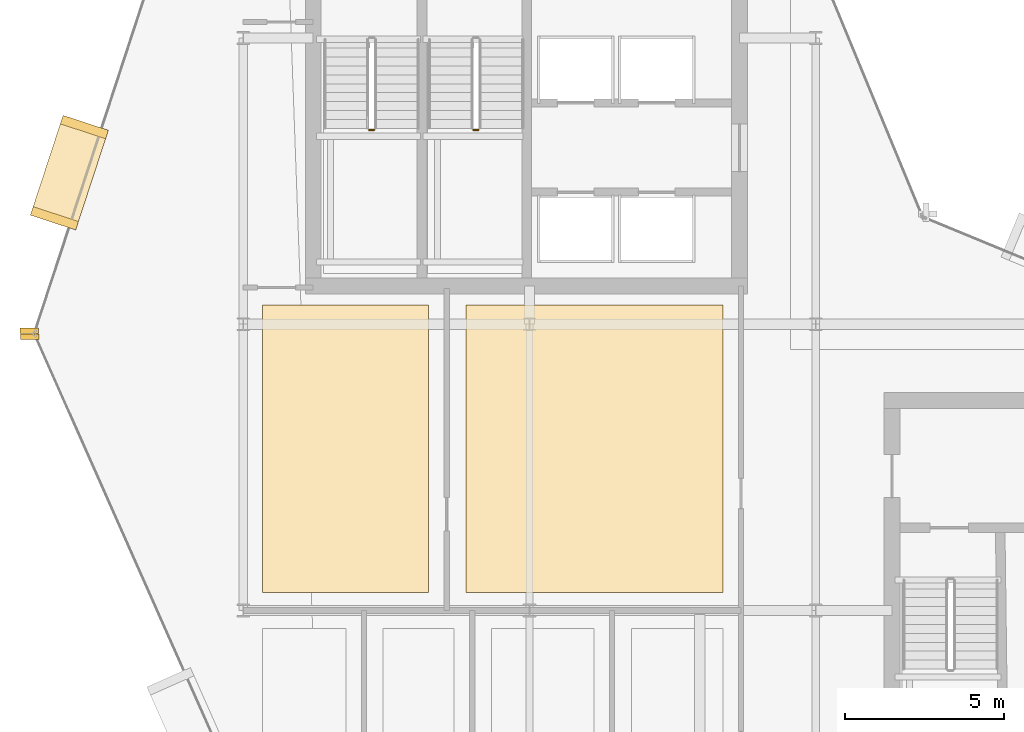
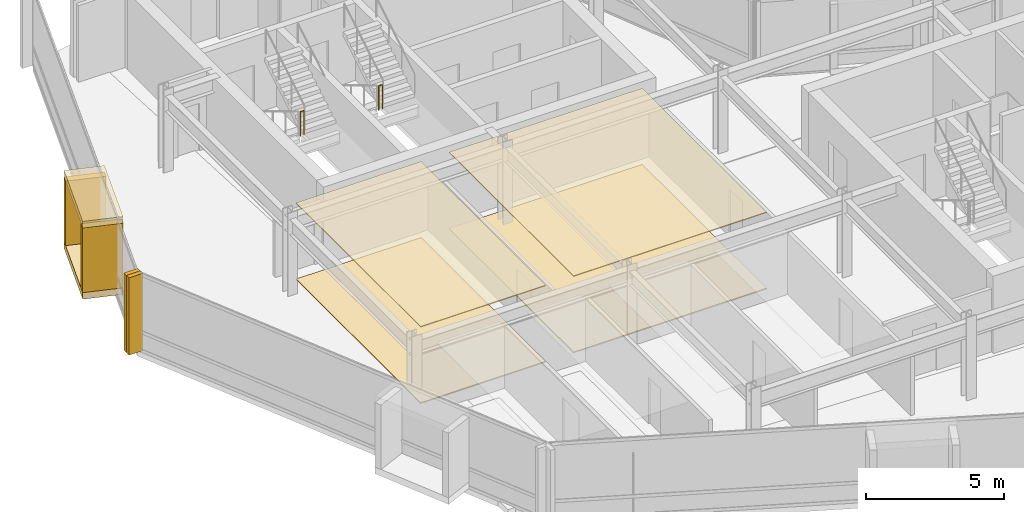
# One storey, part 23 of 27: 10 coverings, 2 railings.
"""IFC4 building model written with IfcOpenShell, lengths in metres."""

import ifcopenshell
import ifcopenshell.guid

model = None  # the IFC model being written
_history = None  # IfcOwnerHistory: only IFC2X3 demands one
_inside = {}  # id of a spatial element -> (the spatial element, [elements in it])
_under = {}  # id of a project, library or spatial element -> (it, [spatial elements below it])
_declared = {}  # id of a project -> (the project, [libraries it declares])
_typed = {}  # id of a type object -> (the type object, [elements of that type])
_made_of = {}  # id of a material, layer set ... -> (it, [elements and type objects made of it])


def new_model(schema):
    """Start an empty IFC model of exactly this schema.

    Asked for "IFC4X3", IfcOpenShell would pick the latest addendum, in which some entities
    have other attributes; the version numbers below select the first issue.
    IFC2X3 requires an IfcOwnerHistory on every rooted entity: one is made here for all.
    """
    global model, _history
    if schema == "IFC4X3":
        model = ifcopenshell.file(schema_version=(4, 3, 0, 0))
    else:
        model = ifcopenshell.file(schema=schema)
    _inside.clear()
    _under.clear()
    _declared.clear()
    _typed.clear()
    _made_of.clear()
    _history = None
    if model.schema == "IFC2X3":
        org = make("IfcOrganization", Name="unknown")
        user = make(
            "IfcPersonAndOrganization",
            ThePerson=make("IfcPerson", FamilyName="unknown"),
            TheOrganization=org,
        )
        app = make(
            "IfcApplication",
            ApplicationDeveloper=org,
            Version="unknown",
            ApplicationFullName="unknown",
            ApplicationIdentifier="unknown",
        )
        _history = make(
            "IfcOwnerHistory",
            OwningUser=user,
            OwningApplication=app,
            ChangeAction="ADDED",
            CreationDate=0,
        )
    return model


def make(cls, **values):
    """One entity of the class cls with the attributes given. An attribute that is None is left unset."""
    return model.create_entity(
        cls, **{name: value for name, value in values.items() if value is not None}
    )


def rooted(cls, **values):
    """An entity with a GlobalId (a new one), such as an element, a storey or a relation."""
    return make(cls, GlobalId=ifcopenshell.guid.new(), OwnerHistory=_history, **values)


def si_unit(unit_type, name, prefix=None):
    """IfcSIUnit, for example si_unit("LENGTHUNIT", "METRE", prefix="MILLI")."""
    return make("IfcSIUnit", UnitType=unit_type, Prefix=prefix, Name=name)


def assignment(units):
    """IfcUnitAssignment: the units of a project."""
    return None if units is None else make("IfcUnitAssignment", Units=units)


def point(xyz):
    """IfcCartesianPoint."""
    return None if xyz is None else make("IfcCartesianPoint", Coordinates=xyz)


def direction(xyz):
    """IfcDirection."""
    return None if xyz is None else make("IfcDirection", DirectionRatios=xyz)


def frame(location, z_axis=None, x_axis=None):
    """IfcAxis2Placement3D, a coordinate frame: its origin and axes. An axis left out is left unset."""
    return make(
        "IfcAxis2Placement3D",
        Location=point(location),
        Axis=direction(z_axis),
        RefDirection=direction(x_axis),
    )


def frame_2d(location, x_axis=None):
    """IfcAxis2Placement2D, a coordinate frame in the plane: its origin and x axis."""
    return make(
        "IfcAxis2Placement2D", Location=point(location), RefDirection=direction(x_axis)
    )


def origin():
    """The frame at (0, 0, 0) with its axes left unset."""
    return frame((0.0, 0.0, 0.0))


def origin_2d():
    """The frame at (0, 0) in the plane with its x axis left unset."""
    return frame_2d((0.0, 0.0))


def place(relative_to, where):
    """IfcLocalPlacement: puts the frame where relative to a parent placement (None: the world)."""
    return make(
        "IfcLocalPlacement", PlacementRelTo=relative_to, RelativePlacement=where
    )


def context(
    kind, dimensions, precision=None, world=None, true_north=None, identifier=None
):
    """IfcGeometricRepresentationContext, for example the 3D "Model" context."""
    return make(
        "IfcGeometricRepresentationContext",
        ContextIdentifier=identifier,
        ContextType=kind,
        CoordinateSpaceDimension=dimensions,
        Precision=precision,
        WorldCoordinateSystem=world,
        TrueNorth=true_north,
    )


def subcontext(parent, identifier, kind, view, scale=None):
    """IfcGeometricRepresentationSubContext, for example "Body" below "Model"."""
    return make(
        "IfcGeometricRepresentationSubContext",
        ContextIdentifier=identifier,
        ContextType=kind,
        ParentContext=parent,
        TargetScale=scale,
        TargetView=view,
    )


def project(units=None, contexts=None):
    """IfcProject with its units and contexts."""
    return rooted(
        "IfcProject",
        Name="project",
        RepresentationContexts=contexts,
        UnitsInContext=assignment(units),
    )


def spatial(cls, under=None, at=None, **own):
    """A site, building, storey or space (cls), placed at a placement, below another one or the project."""
    s = rooted(cls, ObjectPlacement=at, **own)
    if under is not None:
        _under.setdefault(under.id(), (under, []))[1].append(s)
    return s


def polyline(points):
    """IfcPolyline through the points."""
    return make("IfcPolyline", Points=[point(p) for p in points])


def profile(cls, at=None, kind="AREA", **sizes):
    """A parametric profile (cls). Its sizes go by their IFC names, for example OverallWidth=200.0."""
    return make(cls, ProfileType=kind, Position=at, **sizes)


def rectangle(**sizes):
    """IfcRectangleProfileDef."""
    return profile("IfcRectangleProfileDef", **sizes)


def circle(**sizes):
    """IfcCircleProfileDef."""
    return profile("IfcCircleProfileDef", **sizes)


def outline(outer, holes=None, kind="AREA"):
    """IfcArbitraryClosedProfileDef: a profile drawn as a closed curve; with holes, ...WithVoids."""
    if holes is None:
        return make("IfcArbitraryClosedProfileDef", ProfileType=kind, OuterCurve=outer)
    return make(
        "IfcArbitraryProfileDefWithVoids",
        ProfileType=kind,
        OuterCurve=outer,
        InnerCurves=holes,
    )


def extrude(swept, where, along, depth):
    """IfcExtrudedAreaSolid: the profile swept, set in the frame where, extruded along a direction by depth."""
    return make(
        "IfcExtrudedAreaSolid",
        SweptArea=swept,
        Position=where,
        ExtrudedDirection=direction(along),
        Depth=depth,
    )


def shape(context_of_items, identifier, shape_type, items):
    """IfcShapeRepresentation: the items that make up one representation, for example the "Body"."""
    return make(
        "IfcShapeRepresentation",
        ContextOfItems=context_of_items,
        RepresentationIdentifier=identifier,
        RepresentationType=shape_type,
        Items=items,
    )


def material(Name=None, Category=None):
    """IfcMaterial."""
    return make("IfcMaterial", Name=Name, Category=Category)


def layer(
    of_material, thickness, ventilated=None, Name=None, Category=None, Priority=None
):
    """IfcMaterialLayer: one layer of a wall or slab, of a material (None: an air gap)."""
    return make(
        "IfcMaterialLayer",
        Material=of_material,
        LayerThickness=thickness,
        IsVentilated=ventilated,
        Name=Name,
        Category=Category,
        Priority=Priority,
    )


def layer_set(layers, Name=None):
    """IfcMaterialLayerSet."""
    return make("IfcMaterialLayerSet", MaterialLayers=layers, LayerSetName=Name)


def made_of(thing, what):
    """Note that an element or type object is made of a material, layer set ...; save() writes the relation."""
    if what is not None:
        _made_of.setdefault(what.id(), (what, []))[1].append(thing)
    return thing


def type_object(cls, material=None, **own):
    """A type object (cls), such as IfcWallType, which elements share."""
    return made_of(rooted(cls, **own), material)


def element(
    cls,
    number,
    at=None,
    inside=None,
    cuts=None,
    type_object=None,
    material=None,
    context=None,
    identifier="Body",
    shape_type=None,
    held_by="IfcProductDefinitionShape",
    body=None,
    shapes=None,
    **own,
):
    """One element of the class cls, such as IfcWall. Its Tag is "e" and its number.

    at: its placement. inside: the storey or other place that contains it. cuts: it is an
    opening in that element (IfcRelVoidsElement). A single representation is given by context,
    identifier, shape_type and body (its items); several are given by shapes. held_by: the class
    of the entity that holds the representations. save() writes the other relations.
    """
    e = rooted(cls, Tag="e%d" % number, ObjectPlacement=at, **own)
    if body is not None:
        shapes = [shape(context, identifier, shape_type, body)]
    if shapes is not None:
        e.Representation = make(held_by, Representations=shapes)
    if inside is not None:
        _inside.setdefault(inside.id(), (inside, []))[1].append(e)
    if cuts is not None:
        rooted(
            "IfcRelVoidsElement", RelatingBuildingElement=cuts, RelatedOpeningElement=e
        )
    if type_object is not None:
        _typed.setdefault(type_object.id(), (type_object, []))[1].append(e)
    return made_of(e, material)


def aggregate(whole, parts):
    """IfcRelAggregates: a whole, such as a stair, and the parts it consists of."""
    return rooted("IfcRelAggregates", RelatingObject=whole, RelatedObjects=parts)


def save(model, path):
    """Write the relations noted so far, then the file.

    IfcRelAggregates (storeys below a building ...), IfcRelContainedInSpatialStructure (elements
    in a storey), IfcRelDefinesByType, IfcRelAssociatesMaterial and IfcRelDeclares: one each for
    every whole, place, type object, material and project.
    """
    for whole, parts in _under.values():
        aggregate(whole, parts)
    for where, things in _inside.values():
        rooted(
            "IfcRelContainedInSpatialStructure",
            RelatedElements=things,
            RelatingStructure=where,
        )
    for kind, things in _typed.values():
        rooted("IfcRelDefinesByType", RelatedObjects=things, RelatingType=kind)
    for what, things in _made_of.values():
        rooted("IfcRelAssociatesMaterial", RelatedObjects=things, RelatingMaterial=what)
    for by, libraries in _declared.values():
        rooted("IfcRelDeclares", RelatingContext=by, RelatedDefinitions=libraries)
    model.write(path)


model = new_model("IFC4")

# Units and contexts
model_context = context("Model", 3, precision=1e-05, world=origin(), true_north=direction((0.0, 1.0)))
body_context = subcontext(model_context, "Body", "Model", "MODEL_VIEW")
ifc_project = project(units=[si_unit("LENGTHUNIT", "METRE"), si_unit("AREAUNIT", "SQUARE_METRE"), si_unit("VOLUMEUNIT", "CUBIC_METRE"), si_unit("PLANEANGLEUNIT", "RADIAN"), si_unit("MASSUNIT", "GRAM", prefix="KILO")], contexts=[model_context])

# Site, building, storey
site_placement = place(None, origin())
site = spatial("IfcSite", under=ifc_project, at=site_placement, CompositionType="ELEMENT")
building_placement = place(site_placement, origin())
building = spatial("IfcBuilding", under=site, at=building_placement, Name="Solvaryn Broadcast Tower", CompositionType="ELEMENT")
storey_placement = place(building_placement, frame((0.0, 0.0, 221.0)))
storey = spatial("IfcBuildingStorey", under=building, at=storey_placement, Name="L55", CompositionType="ELEMENT", Elevation=221.0)

# Coverings
ifc_material_1 = material(Name="Micro-Perforated Acoustic Gypsum Ceiling", Category="concrete")
ifc_layer_1 = layer(ifc_material_1, 0.0400390625)
ifc_layer_set_1 = layer_set([ifc_layer_1], Name="CV-CEIL-ACOUSTIC")
covering_type_1 = type_object("IfcCoveringType", Name="CV-CEIL-ACOUSTIC", PredefinedType="CEILING", material=ifc_layer_set_1)
covering_1_placement = place(storey_placement, frame((0.0, 0.0, 3.3798828125)))
element("IfcCovering", 1, at=covering_1_placement, inside=storey, type_object=covering_type_1, Name="L55 Room Acoustic Ceiling 1", PredefinedType="CEILING", context=body_context, shape_type="SweptSolid", body=[
    extrude(outline(polyline([(9.60009765625, 18.570068359375), (14.830078125, 18.570068359375), (14.830078125, 27.60009765625), (9.60009765625, 27.60009765625), (9.60009765625, 18.570068359375)])), origin(), (0.0, 0.0, 1.0), 0.0400390625),
])
covering_2_placement = place(storey_placement, frame((0.0, 0.0, 3.3798828125)))
element("IfcCovering", 2, at=covering_2_placement, inside=storey, type_object=covering_type_1, Name="L55 Room Acoustic Ceiling 2", PredefinedType="CEILING", context=body_context, shape_type="SweptSolid", body=[
    extrude(outline(polyline([(16.0, 18.570068359375), (24.080078125, 18.570068359375), (24.080078125, 27.60009765625), (16.0, 27.60009765625), (16.0, 18.570068359375)])), origin(), (0.0, 0.0, 1.0), 0.0400390625),
])
ifc_material_2 = material(Name="Newsroom Raised Data Access Flooring", Category="steel")
ifc_layer_2 = layer(ifc_material_2, 0.050048828125)
ifc_layer_set_2 = layer_set([ifc_layer_2], Name="CV-FLOOR-RAISED")
covering_type_2 = type_object("IfcCoveringType", Name="CV-FLOOR-RAISED", PredefinedType="FLOORING", material=ifc_layer_set_2)
covering_3_placement = place(storey_placement, origin())
element("IfcCovering", 3, at=covering_3_placement, inside=storey, type_object=covering_type_2, Name="L55 Room Acoustic Floor Finish 1", PredefinedType="FLOORING", context=body_context, shape_type="SweptSolid", body=[
    extrude(outline(polyline([(9.60009765625, 18.570068359375), (14.830078125, 18.570068359375), (14.830078125, 27.60009765625), (9.60009765625, 27.60009765625), (9.60009765625, 18.570068359375)])), origin(), (0.0, 0.0, 1.0), 0.050048828125),
])
covering_4_placement = place(storey_placement, origin())
element("IfcCovering", 4, at=covering_4_placement, inside=storey, type_object=covering_type_2, Name="L55 Room Acoustic Floor Finish 2", PredefinedType="FLOORING", context=body_context, shape_type="SweptSolid", body=[
    extrude(outline(polyline([(16.0, 18.570068359375), (24.080078125, 18.570068359375), (24.080078125, 27.60009765625), (16.0, 27.60009765625), (16.0, 18.570068359375)])), origin(), (0.0, 0.0, 1.0), 0.050048828125),
])
ifc_material_3 = material(Name="Glazed Architectural Terracotta Rainscreen Cladding", Category="masonry")
ifc_layer_3 = layer(ifc_material_3, 0.280029296875)
ifc_layer_set_3 = layer_set([ifc_layer_3], Name="CV-TC-CLAD")
covering_type_3 = type_object("IfcCoveringType", Name="CV-TC-CLAD", PredefinedType="CLADDING", material=ifc_layer_set_3)
for number, where, z_axis, x_axis, name in (
    (5, (3.533935546875, 31.763916015625, 3.1298828125), (0.0, 0.0, 1.0), (-0.311505792684, -0.950244253402, 0.0), "L55 Projecting Stone Window Box Hood 1"),
    (6, (3.533935546875, 31.763916015625, -0.01025390625), (0.0, 0.0, 1.0), (-0.311505792684, -0.950244253402, 0.0), "L55 Projecting Stone Window Box Sill 1"),
):
    element("IfcCovering", number, at=place(storey_placement, frame(where, z_axis=z_axis, x_axis=x_axis)), inside=storey, type_object=covering_type_3, Name=name, PredefinedType="CLADDING", context=body_context, shape_type="SweptSolid", body=[
        extrude(rectangle(XDim=3.300048828125, YDim=1.5, at=origin_2d()), origin(), (0.0, 0.0, 1.0), 0.300048828125),
    ])
for number, where, z_axis, x_axis, name in (
    (7, (4.00439453125, 33.198974609375, 0.27978515625), (0.0, 0.0, 1.0), (-0.311505792684, -0.950244253402, 0.0), "L55 Projecting Stone Window Box Cheek 1-1"),
    (8, (3.063720703125, 30.3291015625, 0.27978515625), (0.0, 0.0, 1.0), (-0.311505792684, -0.950244253402, 0.0), "L55 Projecting Stone Window Box Cheek 1-2"),
):
    element("IfcCovering", number, at=place(storey_placement, frame(where, z_axis=z_axis, x_axis=x_axis)), inside=storey, type_object=covering_type_3, Name=name, PredefinedType="CLADDING", context=body_context, shape_type="SweptSolid", body=[
        extrude(rectangle(XDim=0.280029296875, YDim=1.5, at=origin_2d()), origin(), (0.0, 0.0, 1.0), 2.860107421875),
    ])
ifc_material_4 = material(Name="Extruded Architectural Terracotta Fin", Category="masonry")
ifc_layer_4 = layer(ifc_material_4, 0.179931640625)
ifc_layer_set_4 = layer_set([ifc_layer_4], Name="CV-TC-FIN")
covering_type_4 = type_object("IfcCoveringType", Name="CV-TC-FIN", PredefinedType="USERDEFINED", material=ifc_layer_set_4)
for number, where, z_axis, x_axis, name in (
    (9, (2.271240234375, 26.790771484375, 0.0), (0.0, 0.0, 1.0), (1.0, 0.0, 0.0), "L55 Terracotta Vertical Fin FIN-L55-DR1-M01"),
    (10, (2.281005859375, 26.605712890625, 0.0), (0.0, 0.0, 1.0), (1.0, 0.0, 0.0), "L55 Terracotta Vertical Fin FIN-L55-DR2-M00"),
):
    element("IfcCovering", number, at=place(storey_placement, frame(where, z_axis=z_axis, x_axis=x_axis)), inside=storey, type_object=covering_type_4, Name=name, ObjectType="FIN", PredefinedType="USERDEFINED", context=body_context, shape_type="SweptSolid", body=[
        extrude(rectangle(XDim=0.580078125, YDim=0.179931640625, at=origin_2d()), origin(), (0.0, 0.0, 1.0), 3.419921875),
    ])

# Railings
ifc_material_5 = material(Name="Painted Steel Stair Well Guard", Category="steel")
railing_type = type_object("IfcRailingType", Name="RL-STAIR-GUARD", PredefinedType="BALUSTRADE", material=ifc_material_5)
railing_1_placement = place(storey_placement, frame((12.9599609375, 33.110107421875, 1.85009765625)))
element("IfcRailing", 11, at=railing_1_placement, inside=storey, type_object=railing_type, Name="L55 ST1 stair guard 2", PredefinedType="BALUSTRADE", context=body_context, shape_type="SweptSolid", body=[
    extrude(circle(Radius=0.02392578125, at=origin_2d()), frame((0.0, 0.0, 1.076171875), z_axis=(1.0, 0.0, 0.0), x_axis=(0.0, 1.0, 0.0)), (0.0, 0.0, 1.0), 0.150146484375),
    extrude(circle(Radius=0.02099609375, at=origin_2d()), origin(), (0.0, 0.0, 1.0), 1.052001953125),
    extrude(circle(Radius=0.02099609375, at=origin_2d()), frame((0.150146484375, 0.0, 0.0)), (0.0, 0.0, 1.0), 1.052001953125),
])
railing_2_placement = place(storey_placement, frame((16.239990234375, 33.110107421875, 1.85009765625)))
element("IfcRailing", 12, at=railing_2_placement, inside=storey, type_object=railing_type, Name="L55 ST2 stair guard 2", PredefinedType="BALUSTRADE", context=body_context, shape_type="SweptSolid", body=[
    extrude(circle(Radius=0.02392578125, at=origin_2d()), frame((0.0, 0.0, 1.076171875), z_axis=(1.0, 0.0, 0.0), x_axis=(0.0, 1.0, 0.0)), (0.0, 0.0, 1.0), 0.14990234375),
    extrude(circle(Radius=0.02099609375, at=origin_2d()), origin(), (0.0, 0.0, 1.0), 1.052001953125),
    extrude(circle(Radius=0.02099609375, at=origin_2d()), frame((0.14990234375, 0.0, 0.0)), (0.0, 0.0, 1.0), 1.052001953125),
])

save(model, "model.ifc")
